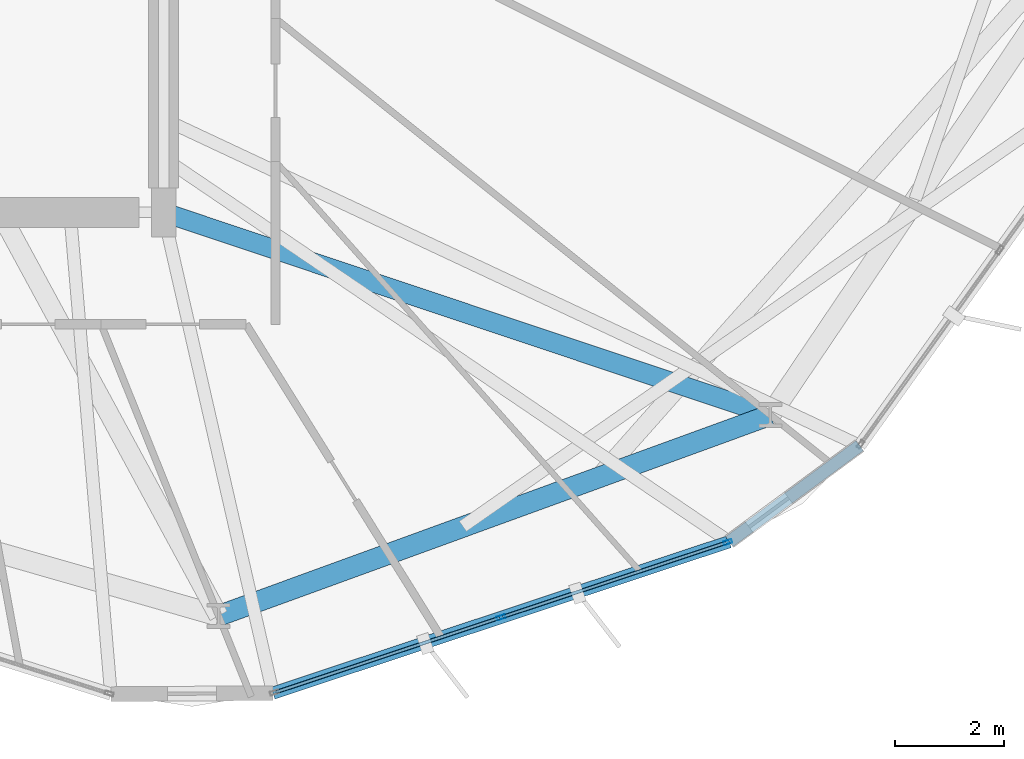
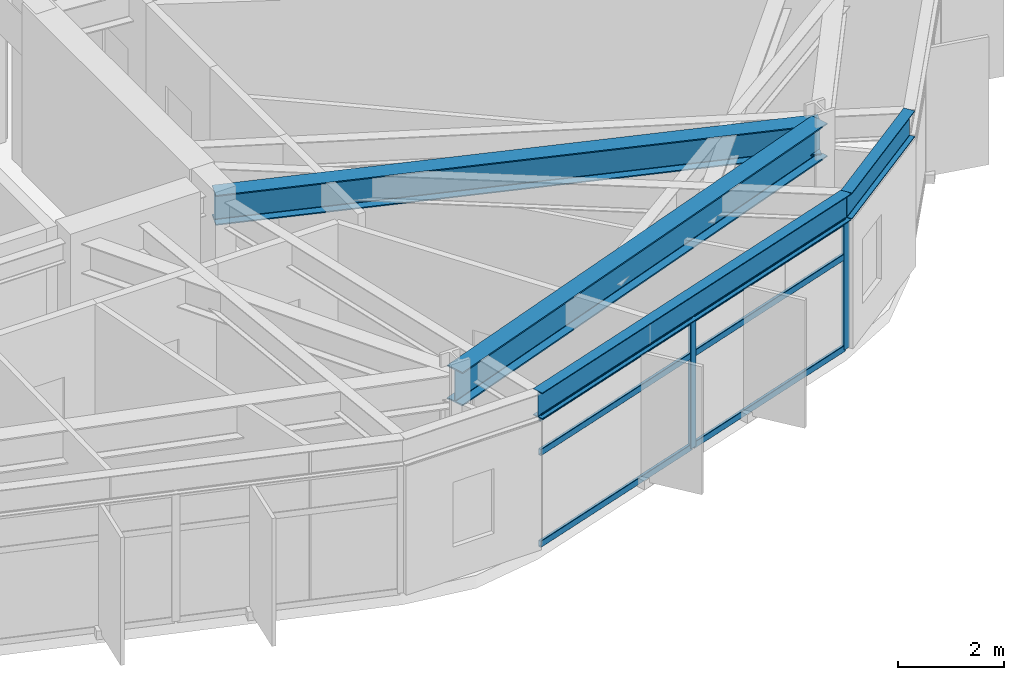
# One storey, part 6 of 27: 8 members, 4 beams, 1 element without a shape of its own.
"""IFC4 building model written with IfcOpenShell, lengths in metres."""

from ifc_helpers import new_model, si_unit, direction, frame, origin, origin_2d, place, context, subcontext, project, spatial, hollow_rectangle, i_section, extrude, material, layer, layer_set, material_profile, profile_set, type_object, element, aggregate, save


model = new_model("IFC4")

# Units and contexts
model_context = context("Model", 3, precision=1e-05, world=origin(), true_north=direction((0.0, 1.0)))
body_context = subcontext(model_context, "Body", "Model", "MODEL_VIEW")
ifc_project = project(units=[si_unit("LENGTHUNIT", "METRE"), si_unit("AREAUNIT", "SQUARE_METRE"), si_unit("VOLUMEUNIT", "CUBIC_METRE"), si_unit("PLANEANGLEUNIT", "RADIAN"), si_unit("MASSUNIT", "GRAM", prefix="KILO")], contexts=[model_context])

# Site, building, storey
site_placement = place(None, origin())
site = spatial("IfcSite", under=ifc_project, at=site_placement, CompositionType="ELEMENT")
building_placement = place(site_placement, origin())
building = spatial("IfcBuilding", under=site, at=building_placement, Name="Soratama Intermodal Tower", CompositionType="ELEMENT")
storey_placement = place(building_placement, frame((0.0, 0.0, 99.10009765625)))
storey = spatial("IfcBuildingStorey", under=building, at=storey_placement, Name="L23", CompositionType="ELEMENT", Elevation=99.10009765625)

# Beams
ifc_material_1 = material(Name="Structural steel ASTM A992 Grade 50", Category="steel")
ifc_material_profile_1 = material_profile(ifc_material_1, i_section(OverallWidth=0.35498046875, OverallDepth=0.695068359375, WebThickness=0.015380859375, FlangeThickness=0.02490234375, FilletRadius=0.01611328125, at=origin_2d()), Name="W27X146")
ifc_profile_set_1 = profile_set([ifc_material_profile_1], Name="Structural steel ASTM A992 Grade 50")
beam_type_1 = type_object("IfcBeamType", Name="BM-RING-W27X146", PredefinedType="BEAM", material=ifc_profile_set_1)
beam_1_placement = place(storey_placement, frame((44.60009765625, 15.0, 3.25244140625), z_axis=(0.948503923169, -0.316765382787, 0.0), x_axis=(0.316765382787, 0.948503923169, 0.0)))
element("IfcBeam", 1, at=beam_1_placement, inside=storey, type_object=beam_type_1, Name="BM-L23-RAD-09", PredefinedType="BEAM", context=body_context, shape_type="SweptSolid", body=[
    extrude(i_section(OverallWidth=0.35498046875, OverallDepth=0.695068359375, WebThickness=0.015380859375, FlangeThickness=0.02490234375, FilletRadius=0.01611328125, at=origin_2d()), origin(), (0.0, 0.0, 1.0), 11.715087890625),
])
ifc_material_2 = material(Name="Structural steel ASTM A992 Grade 50", Category="steel")
ifc_material_profile_2 = material_profile(ifc_material_2, i_section(OverallWidth=0.382080078125, OverallDepth=0.779052734375, WebThickness=0.01806640625, FlangeThickness=0.030029296875, FilletRadius=0.01806640625, at=origin_2d()), Name="W30X191")
ifc_profile_set_2 = profile_set([ifc_material_profile_2], Name="Structural steel ASTM A992 Grade 50")
beam_type_2 = type_object("IfcBeamType", Name="BM-RING-W30X191", PredefinedType="BEAM", material=ifc_profile_set_2)
beam_2_placement = place(storey_placement, frame((45.60693359375, 7.611083984375, 3.21044921875), z_axis=(0.939690636038, 0.342025596326, 0.0), x_axis=(-0.342025596326, 0.939690636038, 0.0)))
element("IfcBeam", 2, at=beam_2_placement, inside=storey, type_object=beam_type_2, Name="BM-L23-RING-08", PredefinedType="BEAM", context=body_context, shape_type="SweptSolid", body=[
    extrude(i_section(OverallWidth=0.382080078125, OverallDepth=0.779052734375, WebThickness=0.01806640625, FlangeThickness=0.030029296875, FilletRadius=0.01806640625, at=origin_2d()), origin(), (0.0, 0.0, 1.0), 10.75341796875),
])
ifc_material_3 = material(Name="Structural steel ASTM A992 Grade 50", Category="steel")
ifc_material_profile_3 = material_profile(ifc_material_3, i_section(OverallWidth=0.22900390625, OverallDepth=0.612060546875, WebThickness=0.011962890625, FlangeThickness=0.01953125, FilletRadius=0.012939453125, at=origin_2d()), Name="W24X84")
ifc_profile_set_3 = profile_set([ifc_material_profile_3], Name="Structural steel ASTM A992 Grade 50")
beam_type_3 = type_object("IfcBeamType", Name="BM-SPN-W24X84", PredefinedType="SPANDREL", material=ifc_profile_set_3)
beam_3_placement = place(storey_placement, frame((46.60205078125, 6.195068359375, 3.2939453125), z_axis=(0.949092810088, 0.31499656798, 0.0), x_axis=(-0.31499656798, 0.949092810088, 0.0)))
element("IfcBeam", 3, at=beam_3_placement, inside=storey, type_object=beam_type_3, Name="BS-L23-F08", PredefinedType="SPANDREL", context=body_context, shape_type="SweptSolid", body=[
    extrude(i_section(OverallWidth=0.22900390625, OverallDepth=0.612060546875, WebThickness=0.011962890625, FlangeThickness=0.01953125, FilletRadius=0.012939453125, at=origin_2d()), origin(), (0.0, 0.0, 1.0), 8.80615234375),
])
beam_4_placement = place(storey_placement, frame((54.9599609375, 8.968994140625, 3.2939453125), z_axis=(0.80528122478, 0.592893033368, 0.0), x_axis=(-0.592893033368, 0.80528122478, 0.0)))
element("IfcBeam", 4, at=beam_4_placement, inside=storey, type_object=beam_type_3, Name="BS-L23-CRN08", PredefinedType="SPANDREL", context=body_context, shape_type="SweptSolid", body=[
    extrude(i_section(OverallWidth=0.22900390625, OverallDepth=0.612060546875, WebThickness=0.011962890625, FlangeThickness=0.01953125, FilletRadius=0.012939453125, at=origin_2d()), origin(), (0.0, 0.0, 1.0), 2.966796875),
])

# Curtain wall, members
ifc_material_4 = material(Name="Double-glazed aluminium curtain wall", Category="aluminium")
ifc_layer = layer(ifc_material_4, 0.159912109375)
ifc_layer_set = layer_set([ifc_layer], Name="Double-glazed aluminium curtain wall")
curtain_wall_type = type_object("IfcCurtainWallType", Name="CW-SYS-3", PredefinedType="NOTDEFINED", material=ifc_layer_set)
curtain_wall_placement = place(storey_placement, origin())
curtain_wall = element("IfcCurtainWall", 5, at=curtain_wall_placement, inside=storey, type_object=curtain_wall_type, Name="L23 Faceted Curtain Wall F08", PredefinedType="NOTDEFINED")
ifc_material_5 = material(Name="Anodised aluminium AA 6063-T6", Category="aluminium")
ifc_material_profile_4 = material_profile(ifc_material_5, hollow_rectangle(XDim=0.070068359375, YDim=0.159912109375, WallThickness=0.0048828125, InnerFilletRadius=0.0048828125, OuterFilletRadius=0.010009765625, at=origin_2d()), Name="CWM160X70X5")
ifc_profile_set_4 = profile_set([ifc_material_profile_4], Name="Anodised aluminium AA 6063-T6")
member_type_1 = type_object("IfcMemberType", Name="MT-CWM-3", PredefinedType="MULLION", material=ifc_profile_set_4)
member_1_placement = place(storey_placement, frame((50.780517578125, 7.582275390625, 0.0), z_axis=(0.0, 0.0, 1.0), x_axis=(-0.314994319934, 0.949093556194, 0.0)))
member_1 = element("IfcMember", 6, at=member_1_placement, type_object=member_type_1, Name="CW-3 mullion 2", PredefinedType="MULLION", context=body_context, shape_type="SweptSolid", body=[
    extrude(hollow_rectangle(XDim=0.070068359375, YDim=0.159912109375, WallThickness=0.0048828125, InnerFilletRadius=0.0048828125, OuterFilletRadius=0.010009765625, at=origin_2d()), origin(), (0.0, 0.0, 1.0), 2.97900390625),
])
member_2_placement = place(storey_placement, frame((54.93115234375, 8.9599609375, 0.0), z_axis=(0.0, 0.0, 1.0), x_axis=(-0.314994319934, 0.949093556194, 0.0)))
member_2 = element("IfcMember", 7, at=member_2_placement, type_object=member_type_1, Name="CW-3 mullion 3", PredefinedType="MULLION", context=body_context, shape_type="SweptSolid", body=[
    extrude(hollow_rectangle(XDim=0.070068359375, YDim=0.159912109375, WallThickness=0.0048828125, InnerFilletRadius=0.0048828125, OuterFilletRadius=0.010009765625, at=origin_2d()), origin(), (0.0, 0.0, 1.0), 2.97900390625),
])
ifc_material_6 = material(Name="Anodised aluminium AA 6063-T6", Category="aluminium")
ifc_material_profile_5 = material_profile(ifc_material_6, hollow_rectangle(XDim=0.06494140625, YDim=0.14990234375, WallThickness=0.0048828125, InnerFilletRadius=0.0048828125, OuterFilletRadius=0.010009765625, at=origin_2d()), Name="CWT150X65X5")
ifc_profile_set_5 = profile_set([ifc_material_profile_5], Name="Anodised aluminium AA 6063-T6")
member_type_2 = type_object("IfcMemberType", Name="TT-CWT-1", PredefinedType="USERDEFINED", material=ifc_profile_set_5)
member_3_placement = place(storey_placement, frame((46.658447265625, 6.214111328125, 0.02978515625), z_axis=(0.949095679921, 0.314987920966, 0.0), x_axis=(-0.314987920966, 0.949095679921, 0.0)))
member_3 = element("IfcMember", 8, at=member_3_placement, type_object=member_type_2, Name="CW-3 transom 1.1", ObjectType="TRANSOM", PredefinedType="USERDEFINED", context=body_context, shape_type="SweptSolid", body=[
    extrude(hollow_rectangle(XDim=0.06494140625, YDim=0.14990234375, WallThickness=0.0048828125, InnerFilletRadius=0.0048828125, OuterFilletRadius=0.010009765625, at=origin_2d()), origin(), (0.0, 0.0, 1.0), 4.313232421875),
])
member_4_placement = place(storey_placement, frame((46.658447265625, 6.214111328125, 2.14990234375), z_axis=(0.949095679921, 0.314987920966, 0.0), x_axis=(-0.314987920966, 0.949095679921, 0.0)))
member_4 = element("IfcMember", 9, at=member_4_placement, type_object=member_type_2, Name="CW-3 transom 1.2", ObjectType="TRANSOM", PredefinedType="USERDEFINED", context=body_context, shape_type="SweptSolid", body=[
    extrude(hollow_rectangle(XDim=0.06494140625, YDim=0.14990234375, WallThickness=0.0048828125, InnerFilletRadius=0.0048828125, OuterFilletRadius=0.010009765625, at=origin_2d()), origin(), (0.0, 0.0, 1.0), 4.313232421875),
])
member_5_placement = place(storey_placement, frame((46.658447265625, 6.214111328125, 2.948974609375), z_axis=(0.949095679921, 0.314987920966, 0.0), x_axis=(-0.314987920966, 0.949095679921, 0.0)))
member_5 = element("IfcMember", 10, at=member_5_placement, type_object=member_type_2, Name="CW-3 transom 1.3", ObjectType="TRANSOM", PredefinedType="USERDEFINED", context=body_context, shape_type="SweptSolid", body=[
    extrude(hollow_rectangle(XDim=0.06494140625, YDim=0.14990234375, WallThickness=0.0048828125, InnerFilletRadius=0.0048828125, OuterFilletRadius=0.010009765625, at=origin_2d()), origin(), (0.0, 0.0, 1.0), 4.313232421875),
])
member_6_placement = place(storey_placement, frame((50.80908203125, 7.591796875, 0.02978515625), z_axis=(0.949095679921, 0.314987920966, 0.0), x_axis=(-0.314987920966, 0.949095679921, 0.0)))
member_6 = element("IfcMember", 11, at=member_6_placement, type_object=member_type_2, Name="CW-3 transom 2.1", ObjectType="TRANSOM", PredefinedType="USERDEFINED", context=body_context, shape_type="SweptSolid", body=[
    extrude(hollow_rectangle(XDim=0.06494140625, YDim=0.14990234375, WallThickness=0.0048828125, InnerFilletRadius=0.0048828125, OuterFilletRadius=0.010009765625, at=origin_2d()), origin(), (0.0, 0.0, 1.0), 4.313232421875),
])
member_7_placement = place(storey_placement, frame((50.80908203125, 7.591796875, 2.14990234375), z_axis=(0.949095679921, 0.314987920966, 0.0), x_axis=(-0.314987920966, 0.949095679921, 0.0)))
member_7 = element("IfcMember", 12, at=member_7_placement, type_object=member_type_2, Name="CW-3 transom 2.2", ObjectType="TRANSOM", PredefinedType="USERDEFINED", context=body_context, shape_type="SweptSolid", body=[
    extrude(hollow_rectangle(XDim=0.06494140625, YDim=0.14990234375, WallThickness=0.0048828125, InnerFilletRadius=0.0048828125, OuterFilletRadius=0.010009765625, at=origin_2d()), origin(), (0.0, 0.0, 1.0), 4.313232421875),
])
member_8_placement = place(storey_placement, frame((50.80908203125, 7.591796875, 2.948974609375), z_axis=(0.949095679921, 0.314987920966, 0.0), x_axis=(-0.314987920966, 0.949095679921, 0.0)))
member_8 = element("IfcMember", 13, at=member_8_placement, type_object=member_type_2, Name="CW-3 transom 2.3", ObjectType="TRANSOM", PredefinedType="USERDEFINED", context=body_context, shape_type="SweptSolid", body=[
    extrude(hollow_rectangle(XDim=0.06494140625, YDim=0.14990234375, WallThickness=0.0048828125, InnerFilletRadius=0.0048828125, OuterFilletRadius=0.010009765625, at=origin_2d()), origin(), (0.0, 0.0, 1.0), 4.313232421875),
])
aggregate(curtain_wall, [member_1, member_2, member_3, member_4, member_5, member_6, member_7, member_8])

save(model, "model.ifc")
